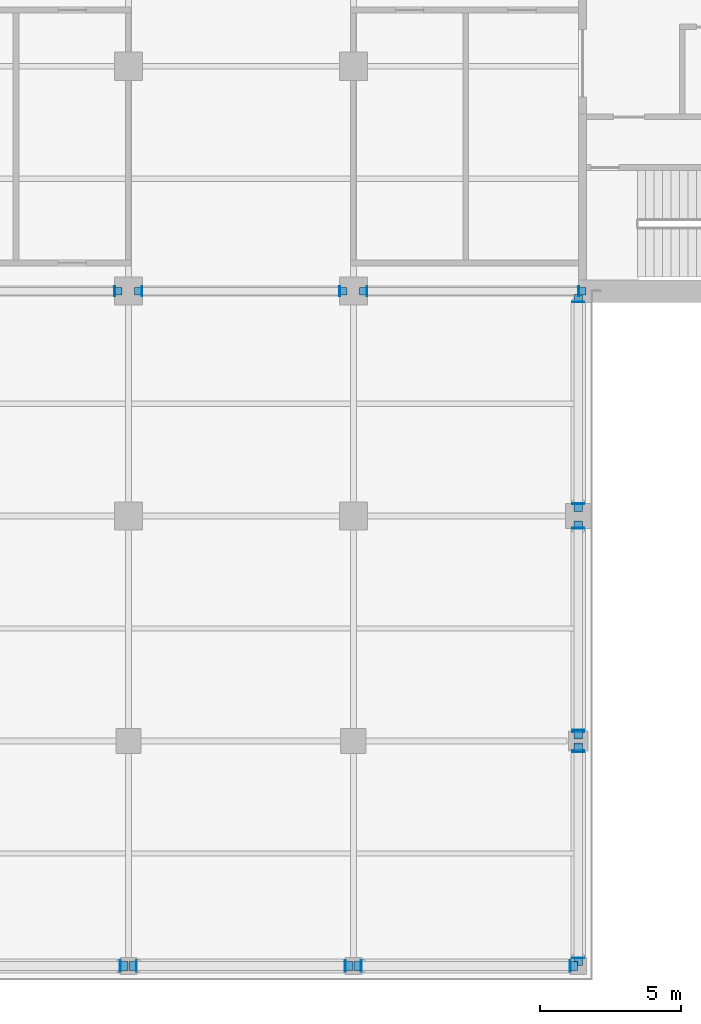
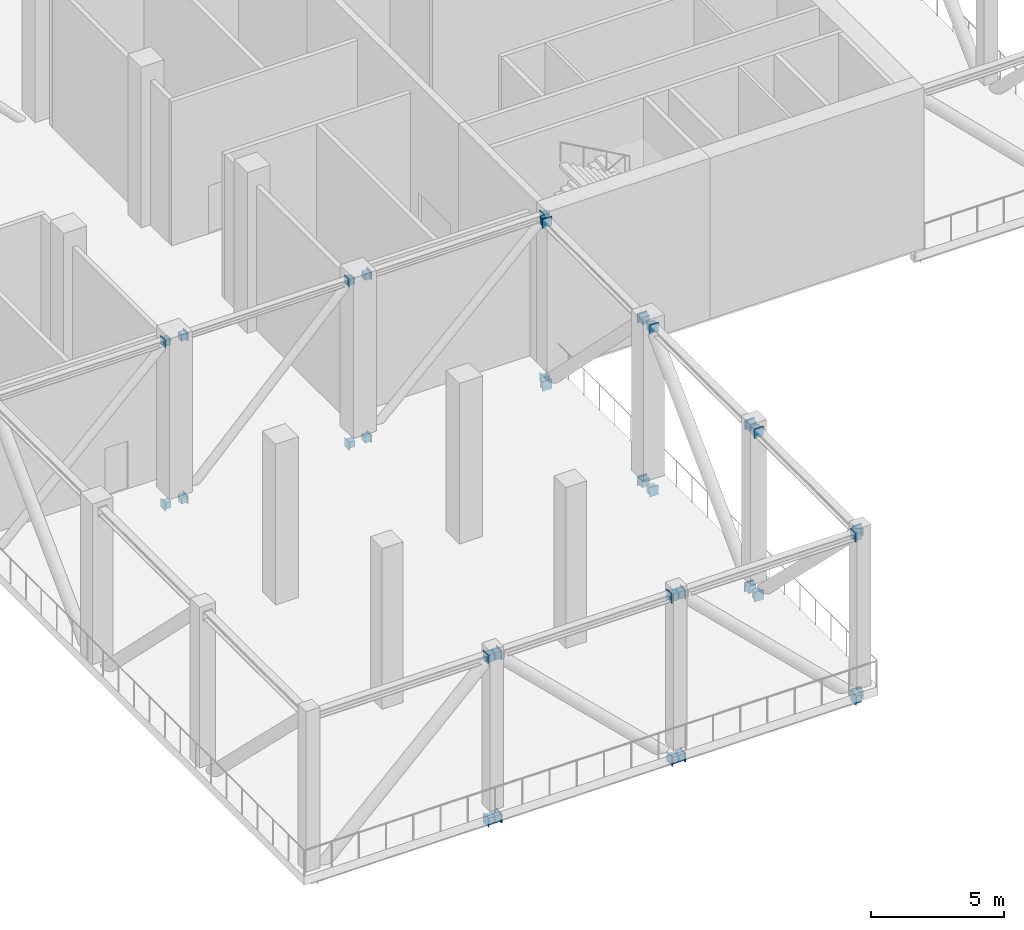
# One storey, part 9 of 18: 64 discrete accessories.
"""IFC4 building model written with IfcOpenShell, lengths in metres."""

from ifc_helpers import new_model, si_unit, direction, frame, origin, origin_2d, place, context, subcontext, project, spatial, rectangle, extrude, material, layer, layer_set, type_object, element, save


model = new_model("IFC4")

# Units and contexts
model_context = context("Model", 3, precision=1e-05, world=origin(), true_north=direction((0.0, 1.0)))
body_context = subcontext(model_context, "Body", "Model", "MODEL_VIEW")
ifc_project = project(units=[si_unit("LENGTHUNIT", "METRE"), si_unit("AREAUNIT", "SQUARE_METRE"), si_unit("VOLUMEUNIT", "CUBIC_METRE"), si_unit("PLANEANGLEUNIT", "RADIAN"), si_unit("MASSUNIT", "GRAM", prefix="KILO")], contexts=[model_context])

# Site, building, storey
site_placement = place(None, origin())
site = spatial("IfcSite", under=ifc_project, at=site_placement, CompositionType="ELEMENT")
building_placement = place(site_placement, origin())
building = spatial("IfcBuilding", under=site, at=building_placement, Name="Crosswind Convention Tower", CompositionType="ELEMENT")
storey_placement = place(building_placement, frame((0.0, 0.0, 105.300048828125)))
storey = spatial("IfcBuildingStorey", under=building, at=storey_placement, Name="L21", CompositionType="ELEMENT", Elevation=105.300048828125)

# Discrete accessories
ifc_material = material(Name="Steel S355", Category="steel")
ifc_layer_1 = layer(ifc_material, 0.030029296875)
ifc_layer_set_1 = layer_set([ifc_layer_1], Name="Steel S355")
discrete_accessory_type_1 = type_object("IfcDiscreteAccessoryType", Name="Cast-in plate 365 x 389 x 30", PredefinedType="ANCHORPLATE", material=ifc_layer_set_1)
for number, where, z_axis, x_axis, name in (
    (1, (120.514892578125, 88.0, -0.7392578125), (0.0, 0.0, 1.0), (1.0, 0.0, 0.0), "EP2 L21 cast-in plate"),
    (2, (120.514892578125, 88.0, 6.7607421875), (0.0, 0.0, 1.0), (1.0, 0.0, 0.0), "EP2 L21 cast-in plate"),
    (3, (121.485107421875, 88.0, -0.7392578125), (0.0, 0.0, 1.0), (1.0, 0.0, 0.0), "EP2 L21 cast-in plate"),
    (4, (128.514892578125, 88.0, -0.7392578125), (0.0, 0.0, 1.0), (1.0, 0.0, 0.0), "EP2 L21 cast-in plate"),
    (5, (121.485107421875, 88.0, 6.7607421875), (0.0, 0.0, 1.0), (1.0, 0.0, 0.0), "EP2 L21 cast-in plate"),
    (6, (128.514892578125, 88.0, 6.7607421875), (0.0, 0.0, 1.0), (1.0, 0.0, 0.0), "EP2 L21 cast-in plate"),
    (7, (129.485107421875, 88.0, -0.7392578125), (0.0, 0.0, 1.0), (1.0, 0.0, 0.0), "EP2 L21 cast-in plate"),
    (8, (137.014892578125, 88.0, -0.7392578125), (0.0, 0.0, 1.0), (1.0, 0.0, 0.0), "EP2 L21 cast-in plate"),
    (9, (129.485107421875, 88.0, 6.7607421875), (0.0, 0.0, 1.0), (1.0, 0.0, 0.0), "EP2 L21 cast-in plate"),
    (10, (137.014892578125, 88.0, 6.7607421875), (0.0, 0.0, 1.0), (1.0, 0.0, 0.0), "EP2 L21 cast-in plate"),
):
    element("IfcDiscreteAccessory", number, at=place(storey_placement, frame(where, z_axis=z_axis, x_axis=x_axis)), inside=storey, type_object=discrete_accessory_type_1, Name=name, PredefinedType="ANCHORPLATE", context=body_context, shape_type="SweptSolid", body=[
        extrude(rectangle(XDim=0.030029296875, YDim=0.364501953125, at=origin_2d()), origin(), (0.0, 0.0, 1.0), 0.38916015625),
    ])
ifc_layer_2 = layer(ifc_material, 0.030029296875)
ifc_layer_set_2 = layer_set([ifc_layer_2], Name="Steel S355")
discrete_accessory_type_2 = type_object("IfcDiscreteAccessoryType", Name="Cast-in plate 414 x 440 x 30", PredefinedType="ANCHORPLATE", material=ifc_layer_set_2)
for number, where, z_axis, x_axis, name in (
    (11, (120.715087890625, 64.0, -0.7900390625), (0.0, 0.0, 1.0), (1.0, 0.0, 0.0), "EP1 L21 cast-in plate"),
    (12, (120.715087890625, 64.0, 6.7099609375), (0.0, 0.0, 1.0), (1.0, 0.0, 0.0), "EP1 L21 cast-in plate"),
    (13, (121.284912109375, 64.0, -0.7900390625), (0.0, 0.0, 1.0), (1.0, 0.0, 0.0), "EP1 L21 cast-in plate"),
    (14, (128.715087890625, 64.0, -0.7900390625), (0.0, 0.0, 1.0), (1.0, 0.0, 0.0), "EP1 L21 cast-in plate"),
    (15, (121.284912109375, 64.0, 6.7099609375), (0.0, 0.0, 1.0), (1.0, 0.0, 0.0), "EP1 L21 cast-in plate"),
    (16, (128.715087890625, 64.0, 6.7099609375), (0.0, 0.0, 1.0), (1.0, 0.0, 0.0), "EP1 L21 cast-in plate"),
    (17, (129.284912109375, 64.0, -0.7900390625), (0.0, 0.0, 1.0), (1.0, 0.0, 0.0), "EP1 L21 cast-in plate"),
    (18, (136.715087890625, 64.0, -0.7900390625), (0.0, 0.0, 1.0), (1.0, 0.0, 0.0), "EP1 L21 cast-in plate"),
    (19, (129.284912109375, 64.0, 6.7099609375), (0.0, 0.0, 1.0), (1.0, 0.0, 0.0), "EP1 L21 cast-in plate"),
    (20, (136.715087890625, 64.0, 6.7099609375), (0.0, 0.0, 1.0), (1.0, 0.0, 0.0), "EP1 L21 cast-in plate"),
):
    element("IfcDiscreteAccessory", number, at=place(storey_placement, frame(where, z_axis=z_axis, x_axis=x_axis)), inside=storey, type_object=discrete_accessory_type_2, Name=name, PredefinedType="ANCHORPLATE", context=body_context, shape_type="SweptSolid", body=[
        extrude(rectangle(XDim=0.030029296875, YDim=0.4140625, at=origin_2d()), origin(), (0.0, 0.0, 1.0), 0.43994140625),
    ])
for number, where, z_axis, x_axis, name in (
    (21, (137.0, 64.284912109375, -0.7900390625), (0.0, 0.0, 1.0), (1.0, 0.0, 0.0), "EP1 L21 cast-in plate"),
    (22, (137.0, 71.614990234375, -0.7900390625), (0.0, 0.0, 1.0), (1.0, 0.0, 0.0), "EP1 L21 cast-in plate"),
    (23, (137.0, 64.284912109375, 6.7099609375), (0.0, 0.0, 1.0), (1.0, 0.0, 0.0), "EP1 L21 cast-in plate"),
    (24, (137.0, 71.6650390625, 6.7099609375), (0.0, 0.0, 1.0), (1.0, 0.0, 0.0), "EP1 L21 cast-in plate"),
    (25, (137.0, 72.385009765625, -0.7900390625), (0.0, 0.0, 1.0), (1.0, 0.0, 0.0), "EP1 L21 cast-in plate"),
    (26, (137.0, 79.56494140625, -0.7900390625), (0.0, 0.0, 1.0), (1.0, 0.0, 0.0), "EP1 L21 cast-in plate"),
    (27, (137.0, 72.3349609375, 6.7099609375), (0.0, 0.0, 1.0), (1.0, 0.0, 0.0), "EP1 L21 cast-in plate"),
    (28, (137.0, 79.56494140625, 6.7099609375), (0.0, 0.0, 1.0), (1.0, 0.0, 0.0), "EP1 L21 cast-in plate"),
    (29, (137.0, 80.43505859375, -0.7900390625), (0.0, 0.0, 1.0), (1.0, 0.0, 0.0), "EP1 L21 cast-in plate"),
    (30, (137.0, 87.614990234375, -0.7900390625), (0.0, 0.0, 1.0), (1.0, 0.0, 0.0), "EP1 L21 cast-in plate"),
    (31, (137.0, 80.43505859375, 6.7099609375), (0.0, 0.0, 1.0), (1.0, 0.0, 0.0), "EP1 L21 cast-in plate"),
    (32, (137.0, 87.614990234375, 6.7099609375), (0.0, 0.0, 1.0), (1.0, 0.0, 0.0), "EP1 L21 cast-in plate"),
):
    element("IfcDiscreteAccessory", number, at=place(storey_placement, frame(where, z_axis=z_axis, x_axis=x_axis)), inside=storey, type_object=discrete_accessory_type_2, Name=name, PredefinedType="ANCHORPLATE", context=body_context, shape_type="SweptSolid", body=[
        extrude(rectangle(XDim=0.4140625, YDim=0.030029296875, at=origin_2d()), origin(), (0.0, 0.0, 1.0), 0.43994140625),
    ])
discrete_accessory_type_3 = type_object("IfcDiscreteAccessoryType", Name="Headed stud group 265 x 289 x 250", PredefinedType="USERDEFINED", material=ifc_material)
for number, where, z_axis, x_axis, name in (
    (33, (120.655029296875, 88.0, -0.689208984375), (0.0, 0.0, 1.0), (1.0, 0.0, 0.0), "AB2 L21 headed stud group"),
    (34, (120.655029296875, 88.0, 6.810791015625), (0.0, 0.0, 1.0), (1.0, 0.0, 0.0), "AB2 L21 headed stud group"),
    (35, (121.344970703125, 88.0, -0.689208984375), (0.0, 0.0, 1.0), (1.0, 0.0, 0.0), "AB2 L21 headed stud group"),
    (36, (128.655029296875, 88.0, -0.689208984375), (0.0, 0.0, 1.0), (1.0, 0.0, 0.0), "AB2 L21 headed stud group"),
    (37, (121.344970703125, 88.0, 6.810791015625), (0.0, 0.0, 1.0), (1.0, 0.0, 0.0), "AB2 L21 headed stud group"),
    (38, (128.655029296875, 88.0, 6.810791015625), (0.0, 0.0, 1.0), (1.0, 0.0, 0.0), "AB2 L21 headed stud group"),
    (39, (129.344970703125, 88.0, -0.689208984375), (0.0, 0.0, 1.0), (1.0, 0.0, 0.0), "AB2 L21 headed stud group"),
    (40, (137.155029296875, 88.0, -0.689208984375), (0.0, 0.0, 1.0), (1.0, 0.0, 0.0), "AB2 L21 headed stud group"),
    (41, (129.344970703125, 88.0, 6.810791015625), (0.0, 0.0, 1.0), (1.0, 0.0, 0.0), "AB2 L21 headed stud group"),
    (42, (137.155029296875, 88.0, 6.810791015625), (0.0, 0.0, 1.0), (1.0, 0.0, 0.0), "AB2 L21 headed stud group"),
):
    element("IfcDiscreteAccessory", number, at=place(storey_placement, frame(where, z_axis=z_axis, x_axis=x_axis)), inside=storey, type_object=discrete_accessory_type_3, Name=name, ObjectType="HEADED STUD GROUP", PredefinedType="USERDEFINED", context=body_context, shape_type="SweptSolid", body=[
        extrude(rectangle(XDim=0.25, YDim=0.264404296875, at=origin_2d()), origin(), (0.0, 0.0, 1.0), 0.2890625),
    ])
discrete_accessory_type_4 = type_object("IfcDiscreteAccessoryType", Name="Headed stud group 314 x 340 x 250", PredefinedType="USERDEFINED", material=ifc_material)
for number, where, z_axis, x_axis, name in (
    (43, (120.85498046875, 64.0, -0.739990234375), (0.0, 0.0, 1.0), (1.0, 0.0, 0.0), "AB1 L21 headed stud group"),
    (44, (120.85498046875, 64.0, 6.760009765625), (0.0, 0.0, 1.0), (1.0, 0.0, 0.0), "AB1 L21 headed stud group"),
    (45, (121.14501953125, 64.0, -0.739990234375), (0.0, 0.0, 1.0), (1.0, 0.0, 0.0), "AB1 L21 headed stud group"),
    (46, (128.85498046875, 64.0, -0.739990234375), (0.0, 0.0, 1.0), (1.0, 0.0, 0.0), "AB1 L21 headed stud group"),
    (47, (121.14501953125, 64.0, 6.760009765625), (0.0, 0.0, 1.0), (1.0, 0.0, 0.0), "AB1 L21 headed stud group"),
    (48, (128.85498046875, 64.0, 6.760009765625), (0.0, 0.0, 1.0), (1.0, 0.0, 0.0), "AB1 L21 headed stud group"),
    (49, (129.14501953125, 64.0, -0.739990234375), (0.0, 0.0, 1.0), (1.0, 0.0, 0.0), "AB1 L21 headed stud group"),
    (50, (136.85498046875, 64.0, -0.739990234375), (0.0, 0.0, 1.0), (1.0, 0.0, 0.0), "AB1 L21 headed stud group"),
    (51, (129.14501953125, 64.0, 6.760009765625), (0.0, 0.0, 1.0), (1.0, 0.0, 0.0), "AB1 L21 headed stud group"),
    (52, (136.85498046875, 64.0, 6.760009765625), (0.0, 0.0, 1.0), (1.0, 0.0, 0.0), "AB1 L21 headed stud group"),
):
    element("IfcDiscreteAccessory", number, at=place(storey_placement, frame(where, z_axis=z_axis, x_axis=x_axis)), inside=storey, type_object=discrete_accessory_type_4, Name=name, ObjectType="HEADED STUD GROUP", PredefinedType="USERDEFINED", context=body_context, shape_type="SweptSolid", body=[
        extrude(rectangle(XDim=0.25, YDim=0.314208984375, at=origin_2d()), origin(), (0.0, 0.0, 1.0), 0.33984375),
    ])
for number, where, z_axis, x_axis, name in (
    (53, (137.0, 64.14501953125, -0.739990234375), (0.0, 0.0, 1.0), (1.0, 0.0, 0.0), "AB1 L21 headed stud group"),
    (54, (137.0, 71.7548828125, -0.739990234375), (0.0, 0.0, 1.0), (1.0, 0.0, 0.0), "AB1 L21 headed stud group"),
    (55, (137.0, 64.14501953125, 6.760009765625), (0.0, 0.0, 1.0), (1.0, 0.0, 0.0), "AB1 L21 headed stud group"),
    (56, (137.0, 71.804931640625, 6.760009765625), (0.0, 0.0, 1.0), (1.0, 0.0, 0.0), "AB1 L21 headed stud group"),
    (57, (137.0, 72.2451171875, -0.739990234375), (0.0, 0.0, 1.0), (1.0, 0.0, 0.0), "AB1 L21 headed stud group"),
    (58, (137.0, 79.705078125, -0.739990234375), (0.0, 0.0, 1.0), (1.0, 0.0, 0.0), "AB1 L21 headed stud group"),
    (59, (137.0, 72.195068359375, 6.760009765625), (0.0, 0.0, 1.0), (1.0, 0.0, 0.0), "AB1 L21 headed stud group"),
    (60, (137.0, 79.705078125, 6.760009765625), (0.0, 0.0, 1.0), (1.0, 0.0, 0.0), "AB1 L21 headed stud group"),
    (61, (137.0, 80.294921875, -0.739990234375), (0.0, 0.0, 1.0), (1.0, 0.0, 0.0), "AB1 L21 headed stud group"),
    (62, (137.0, 87.7548828125, -0.739990234375), (0.0, 0.0, 1.0), (1.0, 0.0, 0.0), "AB1 L21 headed stud group"),
    (63, (137.0, 80.294921875, 6.760009765625), (0.0, 0.0, 1.0), (1.0, 0.0, 0.0), "AB1 L21 headed stud group"),
    (64, (137.0, 87.7548828125, 6.760009765625), (0.0, 0.0, 1.0), (1.0, 0.0, 0.0), "AB1 L21 headed stud group"),
):
    element("IfcDiscreteAccessory", number, at=place(storey_placement, frame(where, z_axis=z_axis, x_axis=x_axis)), inside=storey, type_object=discrete_accessory_type_4, Name=name, ObjectType="HEADED STUD GROUP", PredefinedType="USERDEFINED", context=body_context, shape_type="SweptSolid", body=[
        extrude(rectangle(XDim=0.314208984375, YDim=0.25, at=origin_2d()), origin(), (0.0, 0.0, 1.0), 0.33984375),
    ])

save(model, "model.ifc")
